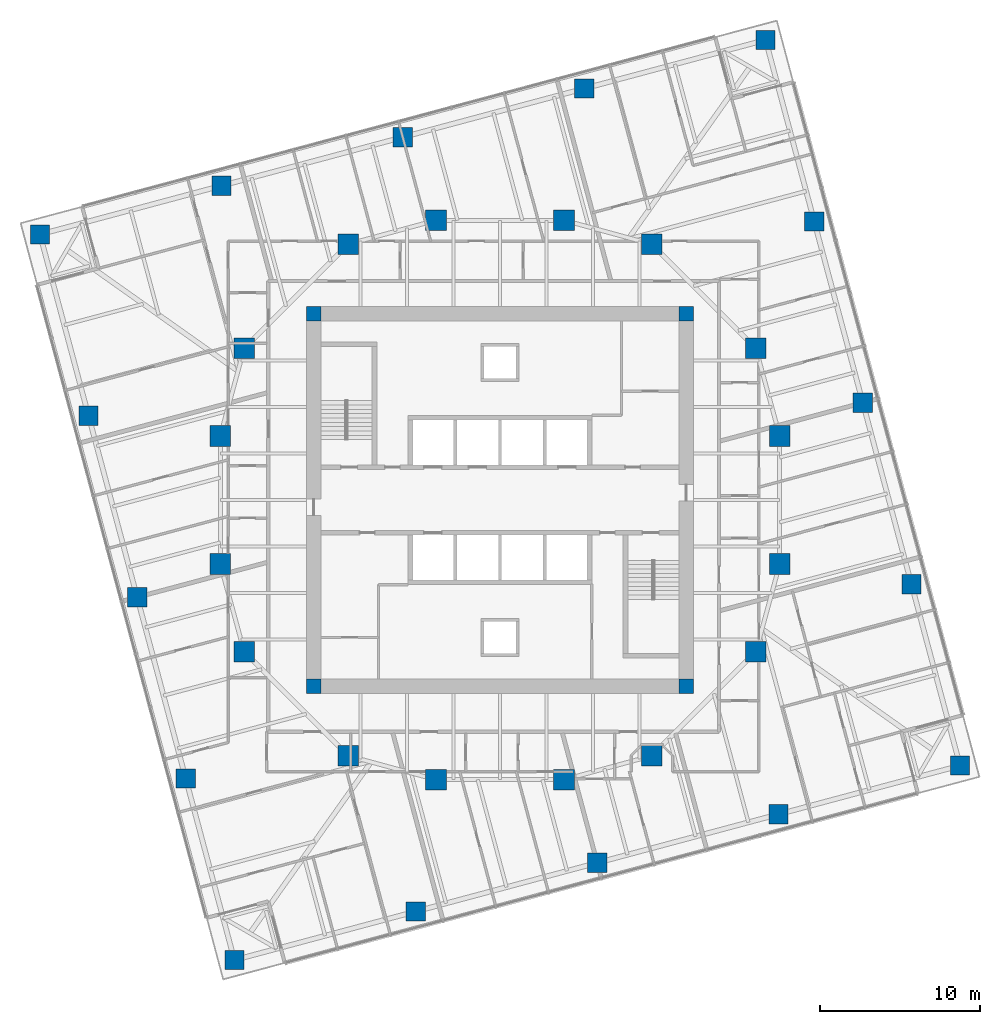
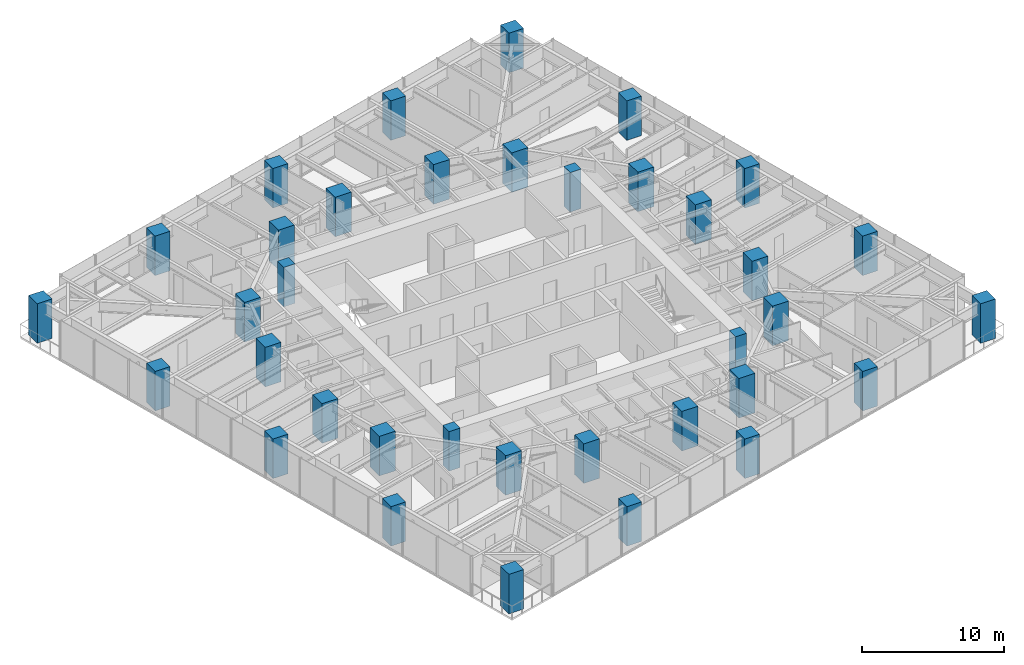
# One storey, part 1 of 14: 36 columns.
"""IFC4 building model written with IfcOpenShell, lengths in metres."""

from ifc_helpers import new_model, si_unit, direction, frame, origin, origin_2d, place, context, subcontext, project, spatial, rectangle, extrude, material, material_profile, profile_set, type_object, element, save


model = new_model("IFC4")

# Units and contexts
model_context = context("Model", 3, precision=1e-05, world=origin(), true_north=direction((0.0, 1.0)))
body_context = subcontext(model_context, "Body", "Model", "MODEL_VIEW")
ifc_project = project(units=[si_unit("LENGTHUNIT", "METRE"), si_unit("AREAUNIT", "SQUARE_METRE"), si_unit("VOLUMEUNIT", "CUBIC_METRE"), si_unit("PLANEANGLEUNIT", "RADIAN"), si_unit("MASSUNIT", "GRAM", prefix="KILO")], contexts=[model_context])

# Site, building, storey
site_placement = place(None, origin())
site = spatial("IfcSite", under=ifc_project, at=site_placement, CompositionType="ELEMENT")
building_placement = place(site_placement, origin())
building = spatial("IfcBuilding", under=site, at=building_placement, Name="Torsade Residences", CompositionType="ELEMENT")
storey_placement = place(building_placement, frame((0.0, 0.0, 128.60009765625)))
storey = spatial("IfcBuildingStorey", under=building, at=storey_placement, Name="L35", CompositionType="ELEMENT", Elevation=128.60009765625)

# Columns
ifc_material_1 = material(Name="Concrete 80 MPa", Category="concrete")
ifc_material_profile_1 = material_profile(ifc_material_1, rectangle(XDim=0.89990234375, YDim=0.89990234375, at=origin_2d()), Name="RC 900x900")
ifc_profile_set_1 = profile_set([ifc_material_profile_1], Name="Concrete 80 MPa")
column_type_1 = type_object("IfcColumnType", Name="CORE CORNER COLUMN RC 900x900", PredefinedType="COLUMN", material=ifc_profile_set_1)
for number, where, z_axis, x_axis, name in (
    (1, (28.35009765625, 18.35009765625, 0.0), (0.0, 0.0, 1.0), (1.0, 0.0, 0.0), "Core corner column CC1 L35"),
    (2, (51.64990234375, 18.35009765625, 0.0), (0.0, 0.0, 1.0), (1.0, 0.0, 0.0), "Core corner column CC2 L35"),
    (3, (51.64990234375, 41.64990234375, 0.0), (0.0, 0.0, 1.0), (1.0, 0.0, 0.0), "Core corner column CC3 L35"),
    (4, (28.35009765625, 41.64990234375, 0.0), (0.0, 0.0, 1.0), (1.0, 0.0, 0.0), "Core corner column CC4 L35"),
):
    element("IfcColumn", number, at=place(storey_placement, frame(where, z_axis=z_axis, x_axis=x_axis)), inside=storey, type_object=column_type_1, Name=name, PredefinedType="COLUMN", context=body_context, shape_type="SweptSolid", body=[
        extrude(rectangle(XDim=0.89990234375, YDim=0.89990234375, at=origin_2d()), origin(), (0.0, 0.0, 1.0), 3.39990234375),
    ])
ifc_material_2 = material(Name="Concrete 80 MPa", Category="concrete")
ifc_material_profile_2 = material_profile(ifc_material_2, rectangle(XDim=1.300048828125, YDim=1.300048828125, at=origin_2d()), Name="RC 1300x1300")
ifc_profile_set_2 = profile_set([ifc_material_profile_2], Name="Concrete 80 MPa")
column_type_2 = type_object("IfcColumnType", Name="INNER RING COLUMN RC 1300x1300", PredefinedType="COLUMN", material=ifc_profile_set_2)
for number, where, z_axis, x_axis, name in (
    (5, (57.5, 26.0, 0.0), (0.0, 0.0, 1.0), (1.0, 0.0, 0.0), "Inner ring column IR01 L35"),
    (6, (57.5, 34.0, 0.0), (0.0, 0.0, 1.0), (1.0, 0.0, 0.0), "Inner ring column IR02 L35"),
    (7, (56.0, 39.5, 0.0), (0.0, 0.0, 1.0), (1.0, 0.0, 0.0), "Inner ring column IR03 L35"),
    (8, (49.5, 46.0, 0.0), (0.0, 0.0, 1.0), (1.0, 0.0, 0.0), "Inner ring column IR04 L35"),
    (9, (44.0, 47.5, 0.0), (0.0, 0.0, 1.0), (1.0, 0.0, 0.0), "Inner ring column IR05 L35"),
    (10, (36.0, 47.5, 0.0), (0.0, 0.0, 1.0), (1.0, 0.0, 0.0), "Inner ring column IR06 L35"),
    (11, (30.5, 46.0, 0.0), (0.0, 0.0, 1.0), (1.0, 0.0, 0.0), "Inner ring column IR07 L35"),
    (12, (24.0, 39.5, 0.0), (0.0, 0.0, 1.0), (1.0, 0.0, 0.0), "Inner ring column IR08 L35"),
    (13, (22.5, 34.0, 0.0), (0.0, 0.0, 1.0), (1.0, 0.0, 0.0), "Inner ring column IR09 L35"),
    (14, (22.5, 26.0, 0.0), (0.0, 0.0, 1.0), (1.0, 0.0, 0.0), "Inner ring column IR10 L35"),
    (15, (24.0, 20.5, 0.0), (0.0, 0.0, 1.0), (1.0, 0.0, 0.0), "Inner ring column IR11 L35"),
    (16, (30.5, 14.0, 0.0), (0.0, 0.0, 1.0), (1.0, 0.0, 0.0), "Inner ring column IR12 L35"),
    (17, (36.0, 12.5, 0.0), (0.0, 0.0, 1.0), (1.0, 0.0, 0.0), "Inner ring column IR13 L35"),
    (18, (44.0, 12.5, 0.0), (0.0, 0.0, 1.0), (1.0, 0.0, 0.0), "Inner ring column IR14 L35"),
    (19, (49.5, 14.0, 0.0), (0.0, 0.0, 1.0), (1.0, 0.0, 0.0), "Inner ring column IR15 L35"),
    (20, (56.0, 20.5, 0.0), (0.0, 0.0, 1.0), (1.0, 0.0, 0.0), "Inner ring column IR16 L35"),
):
    element("IfcColumn", number, at=place(storey_placement, frame(where, z_axis=z_axis, x_axis=x_axis)), inside=storey, type_object=column_type_2, Name=name, PredefinedType="COLUMN", context=body_context, shape_type="SweptSolid", body=[
        extrude(rectangle(XDim=1.300048828125, YDim=1.300048828125, at=origin_2d()), origin(), (0.0, 0.0, 1.0), 3.39990234375),
    ])
ifc_material_3 = material(Name="Concrete 80 MPa", Category="concrete")
ifc_material_profile_3 = material_profile(ifc_material_3, rectangle(XDim=1.199951171875, YDim=1.199951171875, at=origin_2d()), Name="RC 1200x1200")
ifc_profile_set_3 = profile_set([ifc_material_profile_3], Name="Concrete 80 MPa")
column_type_3 = type_object("IfcColumnType", Name="TOWER COLUMN RC 1200x1200", PredefinedType="COLUMN", material=ifc_profile_set_3)
for number, where, z_axis, x_axis, name in (
    (21, (23.383056640625, 1.218505859375, 0.0), (0.0, 0.0, 1.0), (1.0, 0.0, 0.0), "Column TC4-01 L35"),
    (22, (34.732666015625, 4.259521484375, 0.0), (0.0, 0.0, 1.0), (1.0, 0.0, 0.0), "Column TC4-02 L35"),
    (23, (46.082275390625, 7.30078125, 0.0), (0.0, 0.0, 1.0), (1.0, 0.0, 0.0), "Column TC4-03 L35"),
    (24, (57.431884765625, 10.341796875, 0.0), (0.0, 0.0, 1.0), (1.0, 0.0, 0.0), "Column TC4-04 L35"),
    (25, (68.781494140625, 13.383056640625, 0.0), (0.0, 0.0, 1.0), (1.0, 0.0, 0.0), "Column TC4-05 L35"),
    (26, (65.740478515625, 24.732666015625, 0.0), (0.0, 0.0, 1.0), (1.0, 0.0, 0.0), "Column TC4-06 L35"),
    (27, (62.69921875, 36.082275390625, 0.0), (0.0, 0.0, 1.0), (1.0, 0.0, 0.0), "Column TC4-07 L35"),
    (28, (59.658203125, 47.431884765625, 0.0), (0.0, 0.0, 1.0), (1.0, 0.0, 0.0), "Column TC4-08 L35"),
    (29, (56.616943359375, 58.781494140625, 0.0), (0.0, 0.0, 1.0), (1.0, 0.0, 0.0), "Column TC4-09 L35"),
    (30, (45.267333984375, 55.740478515625, 0.0), (0.0, 0.0, 1.0), (1.0, 0.0, 0.0), "Column TC4-10 L35"),
    (31, (33.917724609375, 52.69921875, 0.0), (0.0, 0.0, 1.0), (1.0, 0.0, 0.0), "Column TC4-11 L35"),
    (32, (22.568115234375, 49.658203125, 0.0), (0.0, 0.0, 1.0), (1.0, 0.0, 0.0), "Column TC4-12 L35"),
    (33, (11.218505859375, 46.616943359375, 0.0), (0.0, 0.0, 1.0), (1.0, 0.0, 0.0), "Column TC4-13 L35"),
    (34, (14.259521484375, 35.267333984375, 0.0), (0.0, 0.0, 1.0), (1.0, 0.0, 0.0), "Column TC4-14 L35"),
    (35, (17.30078125, 23.917724609375, 0.0), (0.0, 0.0, 1.0), (1.0, 0.0, 0.0), "Column TC4-15 L35"),
    (36, (20.341796875, 12.568115234375, 0.0), (0.0, 0.0, 1.0), (1.0, 0.0, 0.0), "Column TC4-16 L35"),
):
    element("IfcColumn", number, at=place(storey_placement, frame(where, z_axis=z_axis, x_axis=x_axis)), inside=storey, type_object=column_type_3, Name=name, PredefinedType="COLUMN", context=body_context, shape_type="SweptSolid", body=[
        extrude(rectangle(XDim=1.199951171875, YDim=1.199951171875, at=origin_2d()), origin(), (0.0, 0.0, 1.0), 3.39990234375),
    ])

save(model, "model.ifc")
